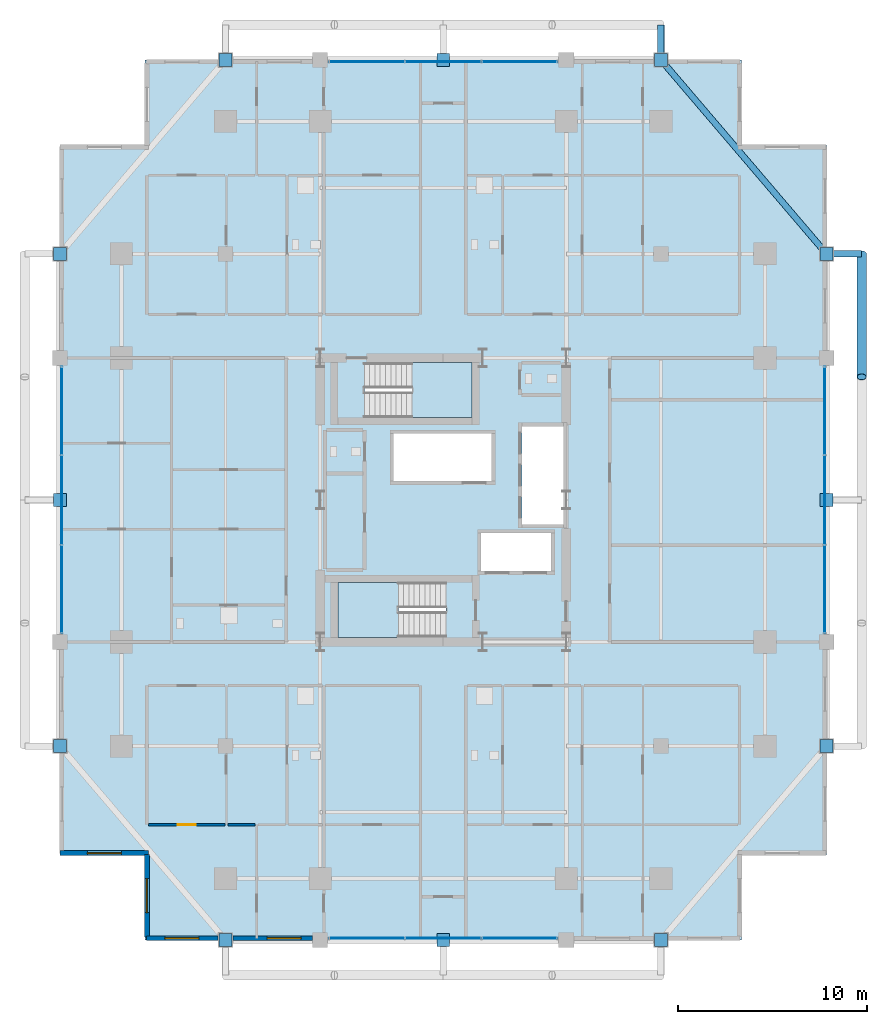
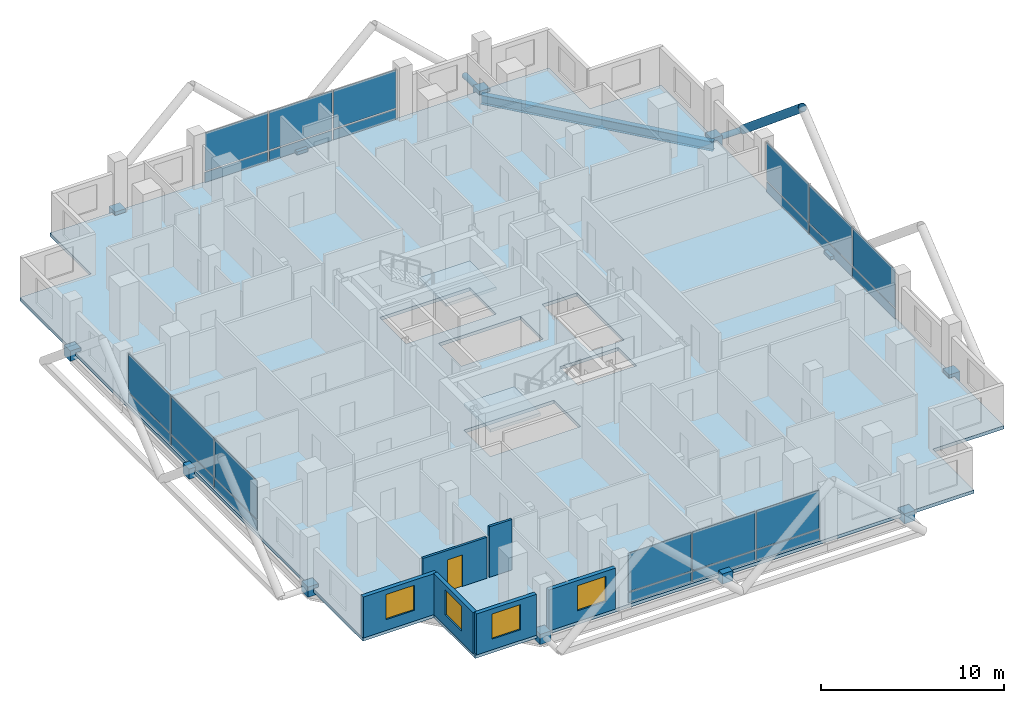
# One storey, part 18 of 25: 36 plates, 6 walls, 4 windows, 3 members, 3 slabs, 1 beam, 1 door, 5 openings, 6 elements without a shape of their own.
"""IFC4 building model written with IfcOpenShell, lengths in metres."""

from ifc_helpers import new_model, si_unit, direction, frame, frame_2d, origin, origin_2d, place, context, subcontext, project, spatial, polyline, rectangle, hollow_circle, i_section, outline, extrude, material, layer, layer_set, material_profile, profile_set, type_object, element, fill, aggregate, save


model = new_model("IFC4")

# Units and contexts
model_context = context("Model", 3, precision=1e-05, world=origin(), true_north=direction((0.0, 1.0)))
body_context = subcontext(model_context, "Body", "Model", "MODEL_VIEW")
ifc_project = project(units=[si_unit("LENGTHUNIT", "METRE"), si_unit("AREAUNIT", "SQUARE_METRE"), si_unit("VOLUMEUNIT", "CUBIC_METRE"), si_unit("PLANEANGLEUNIT", "RADIAN"), si_unit("MASSUNIT", "GRAM", prefix="KILO")], contexts=[model_context])

# Site, building, storey
site_placement = place(None, origin())
site = spatial("IfcSite", under=ifc_project, at=site_placement, CompositionType="ELEMENT")
building_placement = place(site_placement, origin())
building = spatial("IfcBuilding", under=site, at=building_placement, Name="Barlavira Tower and Art Museum", CompositionType="ELEMENT")
storey_placement = place(building_placement, frame((0.0, 0.0, 133.199951171875)))
storey = spatial("IfcBuildingStorey", under=building, at=storey_placement, Name="L33", CompositionType="ELEMENT", Elevation=133.199951171875)

# Members
ifc_material_1 = material(Name="Steel S355", Category="steel")
ifc_material_profile_1 = material_profile(ifc_material_1, hollow_circle(Radius=0.25390625, WallThickness=0.022216796875, at=origin_2d()), Name="CHS 508.0x22.2")
ifc_profile_set_1 = profile_set([ifc_material_profile_1], Name="Steel S355")
member_type_1 = type_object("IfcMemberType", Name="Pale-Metal Exoskeleton Diagrid Tube CHS 508x22 Steel S355", PredefinedType="BRACE", material=ifc_profile_set_1)
member_placement = place(storey_placement, frame((22.10009765625, 13.0, -0.119873046875), z_axis=(0.0, -0.769196053329, 0.639012857104), x_axis=(1.0, 0.0, 0.0)))
element("IfcMember", 1, at=member_placement, inside=storey, type_object=member_type_1, Name="L33 Exoskeleton Diagrid Tube E", PredefinedType="BRACE", context=body_context, shape_type="SweptSolid", body=[
    extrude(hollow_circle(Radius=0.25390625, WallThickness=0.022216796875, at=origin_2d()), origin(), (0.0, 0.0, 1.0), 8.450439453125),
])
ifc_material_profile_2 = material_profile(ifc_material_1, hollow_circle(Radius=0.177734375, WallThickness=0.01611328125, at=origin_2d()), Name="CHS 355.6x16.0")
ifc_profile_set_2 = profile_set([ifc_material_profile_2], Name="Steel S355")
member_type_2 = type_object("IfcMemberType", Name="Pale-Metal Exoskeleton Tie Strut CHS 356x16 Steel S355", PredefinedType="STRUT", material=ifc_profile_set_2)
for number, where, z_axis, x_axis, name in (
    (2, (11.5, 25.10009765625, -0.119873046875), (0.0, -1.0, 0.0), (1.0, 0.0, 0.0), "L33 Exoskeleton Tie Strut N3"),
    (3, (22.10009765625, 13.0, -0.119873046875), (-1.0, 0.0, 0.0), (0.0, -1.0, 0.0), "L33 Exoskeleton Tie Strut E3"),
):
    element("IfcMember", number, at=place(storey_placement, frame(where, z_axis=z_axis, x_axis=x_axis)), inside=storey, type_object=member_type_2, Name=name, PredefinedType="STRUT", context=body_context, shape_type="SweptSolid", body=[
        extrude(hollow_circle(Radius=0.177734375, WallThickness=0.01611328125, at=origin_2d()), origin(), (0.0, 0.0, 1.0), 1.85009765625),
    ])

# Beam
ifc_material_profile_3 = material_profile(ifc_material_1, i_section(OverallWidth=0.327880859375, OverallDepth=0.62890625, WebThickness=0.013916015625, FlangeThickness=0.021484375, at=origin_2d()), Name="W610x174.0")
ifc_profile_set_3 = profile_set([ifc_material_profile_3], Name="Steel S355")
beam_type = type_object("IfcBeamType", Name="Perimeter Spandrel Edge Beam W610x174 Steel S355", PredefinedType="SPANDREL", material=ifc_profile_set_3)
beam_placement = place(storey_placement, frame((20.25, 13.0, -0.534423828125), z_axis=(-0.649262379928, 0.760564502202, 0.0), x_axis=(-0.760564502202, -0.649262379928, 0.0)))
element("IfcBeam", 4, at=beam_placement, inside=storey, type_object=beam_type, Name="L33 Spandrel 8", PredefinedType="SPANDREL", context=body_context, shape_type="SweptSolid", body=[
    extrude(i_section(OverallWidth=0.327880859375, OverallDepth=0.62890625, WebThickness=0.013916015625, FlangeThickness=0.021484375, at=origin_2d()), origin(), (0.0, 0.0, 1.0), 13.476806640625),
])

# Curtain wall, plates
ifc_material_2 = material(Name="Low-iron coastal laminated glass", Category="glass")
ifc_layer_1 = layer(ifc_material_2, 0.18994140625, Name="Low-iron coastal laminated glass")
ifc_layer_set_1 = layer_set([ifc_layer_1], Name="Low-iron coastal laminated glass")
curtain_wall_type = type_object("IfcCurtainWallType", Name="Pale-Metal Unitised Curtain Wall Zone 2", PredefinedType="NOTDEFINED", material=ifc_layer_set_1)
curtain_wall_1_placement = place(storey_placement, origin())
curtain_wall_1 = element("IfcCurtainWall", 5, at=curtain_wall_1_placement, inside=storey, type_object=curtain_wall_type, Name="L33 Curtain Wall CW2-L33-S-B3", PredefinedType="NOTDEFINED")
ifc_material_3 = material(Name="Pale anodised aluminium", Category="aluminium")
ifc_layer_2 = layer(ifc_material_3, 0.044921875, Name="Pale anodised aluminium")
ifc_layer_set_2 = layer_set([ifc_layer_2], Name="Pale anodised aluminium")
plate_type_1 = type_object("IfcPlateType", Name="Curtain Wall Pale-Metal Spandrel Panel 45", PredefinedType="CURTAIN_PANEL", material=ifc_layer_set_2)
plate_1_placement = place(storey_placement, frame((-4.05322265625, -23.14990234375, 0.0400390625), z_axis=(0.0, 0.0, 1.0), x_axis=(1.0, 0.0, 0.0)))
plate_1 = element("IfcPlate", 6, at=plate_1_placement, type_object=plate_type_1, Name="CW2-L33-S-B3 Spandrel Panel 0", PredefinedType="CURTAIN_PANEL", context=body_context, shape_type="SweptSolid", body=[
    extrude(rectangle(XDim=3.953369140625, YDim=0.044921875, at=origin_2d()), origin(), (0.0, 0.0, 1.0), 0.6640625),
])
plate_2_placement = place(storey_placement, frame((0.0, -23.14990234375, 0.0400390625), z_axis=(0.0, 0.0, 1.0), x_axis=(1.0, 0.0, 0.0)))
plate_2 = element("IfcPlate", 7, at=plate_2_placement, type_object=plate_type_1, Name="CW2-L33-S-B3 Spandrel Panel 1", PredefinedType="CURTAIN_PANEL", context=body_context, shape_type="SweptSolid", body=[
    extrude(rectangle(XDim=3.953369140625, YDim=0.044921875, at=origin_2d()), origin(), (0.0, 0.0, 1.0), 0.6640625),
])
plate_3_placement = place(storey_placement, frame((4.05322265625, -23.14990234375, 0.0400390625), z_axis=(0.0, 0.0, 1.0), x_axis=(1.0, 0.0, 0.0)))
plate_3 = element("IfcPlate", 8, at=plate_3_placement, type_object=plate_type_1, Name="CW2-L33-S-B3 Spandrel Panel 2", PredefinedType="CURTAIN_PANEL", context=body_context, shape_type="SweptSolid", body=[
    extrude(rectangle(XDim=3.953369140625, YDim=0.044921875, at=origin_2d()), origin(), (0.0, 0.0, 1.0), 0.6640625),
])

curtain_wall_2_placement = place(storey_placement, origin())
curtain_wall_2 = element("IfcCurtainWall", 9, at=curtain_wall_2_placement, inside=storey, type_object=curtain_wall_type, Name="L33 Curtain Wall CW2-L33-N-B3", PredefinedType="NOTDEFINED")
plate_4_placement = place(storey_placement, frame((4.05322265625, 23.14990234375, 0.0400390625), z_axis=(0.0, 0.0, 1.0), x_axis=(-1.0, 0.0, 0.0)))
plate_4 = element("IfcPlate", 10, at=plate_4_placement, type_object=plate_type_1, Name="CW2-L33-N-B3 Spandrel Panel 0", PredefinedType="CURTAIN_PANEL", context=body_context, shape_type="SweptSolid", body=[
    extrude(rectangle(XDim=3.953369140625, YDim=0.044921875, at=origin_2d()), origin(), (0.0, 0.0, 1.0), 0.6640625),
])
plate_5_placement = place(storey_placement, frame((0.0, 23.14990234375, 0.0400390625), z_axis=(0.0, 0.0, 1.0), x_axis=(-1.0, 0.0, 0.0)))
plate_5 = element("IfcPlate", 11, at=plate_5_placement, type_object=plate_type_1, Name="CW2-L33-N-B3 Spandrel Panel 1", PredefinedType="CURTAIN_PANEL", context=body_context, shape_type="SweptSolid", body=[
    extrude(rectangle(XDim=3.953369140625, YDim=0.044921875, at=origin_2d()), origin(), (0.0, 0.0, 1.0), 0.6640625),
])
plate_6_placement = place(storey_placement, frame((-4.05322265625, 23.14990234375, 0.0400390625), z_axis=(0.0, 0.0, 1.0), x_axis=(-1.0, 0.0, 0.0)))
plate_6 = element("IfcPlate", 12, at=plate_6_placement, type_object=plate_type_1, Name="CW2-L33-N-B3 Spandrel Panel 2", PredefinedType="CURTAIN_PANEL", context=body_context, shape_type="SweptSolid", body=[
    extrude(rectangle(XDim=3.953369140625, YDim=0.044921875, at=origin_2d()), origin(), (0.0, 0.0, 1.0), 0.6640625),
])

curtain_wall_3_placement = place(storey_placement, origin())
curtain_wall_3 = element("IfcCurtainWall", 13, at=curtain_wall_3_placement, inside=storey, type_object=curtain_wall_type, Name="L33 Curtain Wall CW2-L33-W-B3", PredefinedType="NOTDEFINED")
plate_7_placement = place(storey_placement, frame((-20.14990234375, 4.719970703125, 0.0400390625), z_axis=(0.0, 0.0, 1.0), x_axis=(0.0, -1.0, 0.0)))
plate_7 = element("IfcPlate", 14, at=plate_7_placement, type_object=plate_type_1, Name="CW2-L33-W-B3 Spandrel Panel 0", PredefinedType="CURTAIN_PANEL", context=body_context, shape_type="SweptSolid", body=[
    extrude(rectangle(XDim=4.6201171875, YDim=0.044921875, at=origin_2d()), origin(), (0.0, 0.0, 1.0), 0.6640625),
])
plate_8_placement = place(storey_placement, frame((-20.14990234375, 0.0, 0.0400390625), z_axis=(0.0, 0.0, 1.0), x_axis=(0.0, -1.0, 0.0)))
plate_8 = element("IfcPlate", 15, at=plate_8_placement, type_object=plate_type_1, Name="CW2-L33-W-B3 Spandrel Panel 1", PredefinedType="CURTAIN_PANEL", context=body_context, shape_type="SweptSolid", body=[
    extrude(rectangle(XDim=4.6201171875, YDim=0.044921875, at=origin_2d()), origin(), (0.0, 0.0, 1.0), 0.6640625),
])
plate_9_placement = place(storey_placement, frame((-20.14990234375, -4.719970703125, 0.0400390625), z_axis=(0.0, 0.0, 1.0), x_axis=(0.0, -1.0, 0.0)))
plate_9 = element("IfcPlate", 16, at=plate_9_placement, type_object=plate_type_1, Name="CW2-L33-W-B3 Spandrel Panel 2", PredefinedType="CURTAIN_PANEL", context=body_context, shape_type="SweptSolid", body=[
    extrude(rectangle(XDim=4.6201171875, YDim=0.044921875, at=origin_2d()), origin(), (0.0, 0.0, 1.0), 0.6640625),
])

curtain_wall_4_placement = place(storey_placement, origin())
curtain_wall_4 = element("IfcCurtainWall", 17, at=curtain_wall_4_placement, inside=storey, type_object=curtain_wall_type, Name="L33 Curtain Wall CW2-L33-E-B3", PredefinedType="NOTDEFINED")
plate_10_placement = place(storey_placement, frame((20.14990234375, -4.719970703125, 0.0400390625), z_axis=(0.0, 0.0, 1.0), x_axis=(0.0, 1.0, 0.0)))
plate_10 = element("IfcPlate", 18, at=plate_10_placement, type_object=plate_type_1, Name="CW2-L33-E-B3 Spandrel Panel 0", PredefinedType="CURTAIN_PANEL", context=body_context, shape_type="SweptSolid", body=[
    extrude(rectangle(XDim=4.6201171875, YDim=0.044921875, at=origin_2d()), origin(), (0.0, 0.0, 1.0), 0.6640625),
])
plate_11_placement = place(storey_placement, frame((20.14990234375, 0.0, 0.0400390625), z_axis=(0.0, 0.0, 1.0), x_axis=(0.0, 1.0, 0.0)))
plate_11 = element("IfcPlate", 19, at=plate_11_placement, type_object=plate_type_1, Name="CW2-L33-E-B3 Spandrel Panel 1", PredefinedType="CURTAIN_PANEL", context=body_context, shape_type="SweptSolid", body=[
    extrude(rectangle(XDim=4.6201171875, YDim=0.044921875, at=origin_2d()), origin(), (0.0, 0.0, 1.0), 0.6640625),
])
plate_12_placement = place(storey_placement, frame((20.14990234375, 4.719970703125, 0.0400390625), z_axis=(0.0, 0.0, 1.0), x_axis=(0.0, 1.0, 0.0)))
plate_12 = element("IfcPlate", 20, at=plate_12_placement, type_object=plate_type_1, Name="CW2-L33-E-B3 Spandrel Panel 2", PredefinedType="CURTAIN_PANEL", context=body_context, shape_type="SweptSolid", body=[
    extrude(rectangle(XDim=4.6201171875, YDim=0.044921875, at=origin_2d()), origin(), (0.0, 0.0, 1.0), 0.6640625),
])

# Plate
ifc_layer_3 = layer(ifc_material_2, 0.028076171875, Name="Low-iron coastal laminated glass")
ifc_layer_set_3 = layer_set([ifc_layer_3], Name="Low-iron coastal laminated glass")
plate_type_2 = type_object("IfcPlateType", Name="Curtain Wall Vision Glazing Panel 28", PredefinedType="CURTAIN_PANEL", material=ifc_layer_set_3)
plate_13_placement = place(storey_placement, frame((-4.05322265625, -23.14990234375, 0.7841796875), z_axis=(0.0, 0.0, 1.0), x_axis=(1.0, 0.0, 0.0)))
plate_13 = element("IfcPlate", 21, at=plate_13_placement, type_object=plate_type_2, Name="CW2-L33-S-B3 Vision Glass Panel 0", PredefinedType="CURTAIN_PANEL", context=body_context, shape_type="SweptSolid", body=[
    extrude(rectangle(XDim=3.953369140625, YDim=0.028076171875, at=origin_2d()), origin(), (0.0, 0.0, 1.0), 2.555908203125),
])

plate_14_placement = place(storey_placement, frame((0.0, -23.14990234375, 0.7841796875), z_axis=(0.0, 0.0, 1.0), x_axis=(1.0, 0.0, 0.0)))
plate_14 = element("IfcPlate", 22, at=plate_14_placement, type_object=plate_type_2, Name="CW2-L33-S-B3 Vision Glass Panel 1", PredefinedType="CURTAIN_PANEL", context=body_context, shape_type="SweptSolid", body=[
    extrude(rectangle(XDim=3.953369140625, YDim=0.028076171875, at=origin_2d()), origin(), (0.0, 0.0, 1.0), 2.555908203125),
])

plate_15_placement = place(storey_placement, frame((4.05322265625, -23.14990234375, 0.7841796875), z_axis=(0.0, 0.0, 1.0), x_axis=(1.0, 0.0, 0.0)))
plate_15 = element("IfcPlate", 23, at=plate_15_placement, type_object=plate_type_2, Name="CW2-L33-S-B3 Vision Glass Panel 2", PredefinedType="CURTAIN_PANEL", context=body_context, shape_type="SweptSolid", body=[
    extrude(rectangle(XDim=3.953369140625, YDim=0.028076171875, at=origin_2d()), origin(), (0.0, 0.0, 1.0), 2.555908203125),
])

aggregate(curtain_wall_1, [plate_1, plate_13, plate_2, plate_14, plate_3, plate_15])

plate_16_placement = place(storey_placement, frame((4.05322265625, 23.14990234375, 0.7841796875), z_axis=(0.0, 0.0, 1.0), x_axis=(-1.0, 0.0, 0.0)))
plate_16 = element("IfcPlate", 24, at=plate_16_placement, type_object=plate_type_2, Name="CW2-L33-N-B3 Vision Glass Panel 0", PredefinedType="CURTAIN_PANEL", context=body_context, shape_type="SweptSolid", body=[
    extrude(rectangle(XDim=3.953369140625, YDim=0.028076171875, at=origin_2d()), origin(), (0.0, 0.0, 1.0), 2.555908203125),
])

plate_17_placement = place(storey_placement, frame((0.0, 23.14990234375, 0.7841796875), z_axis=(0.0, 0.0, 1.0), x_axis=(-1.0, 0.0, 0.0)))
plate_17 = element("IfcPlate", 25, at=plate_17_placement, type_object=plate_type_2, Name="CW2-L33-N-B3 Vision Glass Panel 1", PredefinedType="CURTAIN_PANEL", context=body_context, shape_type="SweptSolid", body=[
    extrude(rectangle(XDim=3.953369140625, YDim=0.028076171875, at=origin_2d()), origin(), (0.0, 0.0, 1.0), 2.555908203125),
])

plate_18_placement = place(storey_placement, frame((-4.05322265625, 23.14990234375, 0.7841796875), z_axis=(0.0, 0.0, 1.0), x_axis=(-1.0, 0.0, 0.0)))
plate_18 = element("IfcPlate", 26, at=plate_18_placement, type_object=plate_type_2, Name="CW2-L33-N-B3 Vision Glass Panel 2", PredefinedType="CURTAIN_PANEL", context=body_context, shape_type="SweptSolid", body=[
    extrude(rectangle(XDim=3.953369140625, YDim=0.028076171875, at=origin_2d()), origin(), (0.0, 0.0, 1.0), 2.555908203125),
])

aggregate(curtain_wall_2, [plate_4, plate_16, plate_5, plate_17, plate_6, plate_18])

plate_19_placement = place(storey_placement, frame((-20.14990234375, 4.719970703125, 0.7841796875), z_axis=(0.0, 0.0, 1.0), x_axis=(0.0, -1.0, 0.0)))
plate_19 = element("IfcPlate", 27, at=plate_19_placement, type_object=plate_type_2, Name="CW2-L33-W-B3 Vision Glass Panel 0", PredefinedType="CURTAIN_PANEL", context=body_context, shape_type="SweptSolid", body=[
    extrude(rectangle(XDim=4.6201171875, YDim=0.028076171875, at=origin_2d()), origin(), (0.0, 0.0, 1.0), 2.555908203125),
])

plate_20_placement = place(storey_placement, frame((-20.14990234375, 0.0, 0.7841796875), z_axis=(0.0, 0.0, 1.0), x_axis=(0.0, -1.0, 0.0)))
plate_20 = element("IfcPlate", 28, at=plate_20_placement, type_object=plate_type_2, Name="CW2-L33-W-B3 Vision Glass Panel 1", PredefinedType="CURTAIN_PANEL", context=body_context, shape_type="SweptSolid", body=[
    extrude(rectangle(XDim=4.6201171875, YDim=0.028076171875, at=origin_2d()), origin(), (0.0, 0.0, 1.0), 2.555908203125),
])

plate_21_placement = place(storey_placement, frame((-20.14990234375, -4.719970703125, 0.7841796875), z_axis=(0.0, 0.0, 1.0), x_axis=(0.0, -1.0, 0.0)))
plate_21 = element("IfcPlate", 29, at=plate_21_placement, type_object=plate_type_2, Name="CW2-L33-W-B3 Vision Glass Panel 2", PredefinedType="CURTAIN_PANEL", context=body_context, shape_type="SweptSolid", body=[
    extrude(rectangle(XDim=4.6201171875, YDim=0.028076171875, at=origin_2d()), origin(), (0.0, 0.0, 1.0), 2.555908203125),
])

aggregate(curtain_wall_3, [plate_7, plate_19, plate_8, plate_20, plate_9, plate_21])

plate_22_placement = place(storey_placement, frame((20.14990234375, -4.719970703125, 0.7841796875), z_axis=(0.0, 0.0, 1.0), x_axis=(0.0, 1.0, 0.0)))
plate_22 = element("IfcPlate", 30, at=plate_22_placement, type_object=plate_type_2, Name="CW2-L33-E-B3 Vision Glass Panel 0", PredefinedType="CURTAIN_PANEL", context=body_context, shape_type="SweptSolid", body=[
    extrude(rectangle(XDim=4.6201171875, YDim=0.028076171875, at=origin_2d()), origin(), (0.0, 0.0, 1.0), 2.555908203125),
])

plate_23_placement = place(storey_placement, frame((20.14990234375, 0.0, 0.7841796875), z_axis=(0.0, 0.0, 1.0), x_axis=(0.0, 1.0, 0.0)))
plate_23 = element("IfcPlate", 31, at=plate_23_placement, type_object=plate_type_2, Name="CW2-L33-E-B3 Vision Glass Panel 1", PredefinedType="CURTAIN_PANEL", context=body_context, shape_type="SweptSolid", body=[
    extrude(rectangle(XDim=4.6201171875, YDim=0.028076171875, at=origin_2d()), origin(), (0.0, 0.0, 1.0), 2.555908203125),
])

plate_24_placement = place(storey_placement, frame((20.14990234375, 4.719970703125, 0.7841796875), z_axis=(0.0, 0.0, 1.0), x_axis=(0.0, 1.0, 0.0)))
plate_24 = element("IfcPlate", 32, at=plate_24_placement, type_object=plate_type_2, Name="CW2-L33-E-B3 Vision Glass Panel 2", PredefinedType="CURTAIN_PANEL", context=body_context, shape_type="SweptSolid", body=[
    extrude(rectangle(XDim=4.6201171875, YDim=0.028076171875, at=origin_2d()), origin(), (0.0, 0.0, 1.0), 2.555908203125),
])

aggregate(curtain_wall_4, [plate_10, plate_22, plate_11, plate_23, plate_12, plate_24])

# Plates
ifc_layer_4 = layer(ifc_material_1, 0.679931640625, Name="Steel S355")
ifc_layer_set_4 = layer_set([ifc_layer_4], Name="Steel S355")
plate_type_3 = type_object("IfcPlateType", Name="Exoskeleton Tie-Back Solid Cap Plate Assembly Type 5 Steel S355", PredefinedType="USERDEFINED", material=ifc_layer_set_4)
for number, where, z_axis, x_axis, name in (
    (33, (-11.5, -23.25, -0.4599609375), (0.0, 0.0, 1.0), (1.0, 0.0, 0.0), "Slab Edge Tie Cap Plate S1 ND-L33-0350"),
    (34, (0.0, -23.25, -0.4599609375), (0.0, 0.0, 1.0), (1.0, 0.0, 0.0), "Slab Edge Tie Cap Plate S2 ND-L33-0351"),
    (35, (11.5, -23.25, -0.4599609375), (0.0, 0.0, 1.0), (1.0, 0.0, 0.0), "Slab Edge Tie Cap Plate S3 ND-L33-0352"),
    (36, (-11.5, 23.25, -0.4599609375), (0.0, 0.0, 1.0), (1.0, 0.0, 0.0), "Slab Edge Tie Cap Plate N1 ND-L33-0358"),
    (37, (0.0, 23.25, -0.4599609375), (0.0, 0.0, 1.0), (1.0, 0.0, 0.0), "Slab Edge Tie Cap Plate N2 ND-L33-0359"),
    (38, (11.5, 23.25, -0.4599609375), (0.0, 0.0, 1.0), (1.0, 0.0, 0.0), "Slab Edge Tie Cap Plate N3 ND-L33-0360"),
    (39, (-20.25, -13.0, -0.4599609375), (0.0, 0.0, 1.0), (1.0, 0.0, 0.0), "Slab Edge Tie Cap Plate W1 ND-L33-0366"),
    (40, (-20.25, 0.0, -0.4599609375), (0.0, 0.0, 1.0), (1.0, 0.0, 0.0), "Slab Edge Tie Cap Plate W2 ND-L33-0367"),
    (41, (-20.25, 13.0, -0.4599609375), (0.0, 0.0, 1.0), (1.0, 0.0, 0.0), "Slab Edge Tie Cap Plate W3 ND-L33-0368"),
    (42, (20.25, -13.0, -0.4599609375), (0.0, 0.0, 1.0), (1.0, 0.0, 0.0), "Slab Edge Tie Cap Plate E1 ND-L33-0374"),
    (43, (20.25, 0.0, -0.4599609375), (0.0, 0.0, 1.0), (1.0, 0.0, 0.0), "Slab Edge Tie Cap Plate E2 ND-L33-0375"),
    (44, (20.25, 13.0, -0.4599609375), (0.0, 0.0, 1.0), (1.0, 0.0, 0.0), "Slab Edge Tie Cap Plate E3 ND-L33-0376"),
):
    element("IfcPlate", number, at=place(storey_placement, frame(where, z_axis=z_axis, x_axis=x_axis)), inside=storey, type_object=plate_type_3, Name=name, ObjectType="FLANGE_PLATE", PredefinedType="USERDEFINED", context=body_context, shape_type="SweptSolid", body=[
        extrude(rectangle(XDim=0.679931640625, YDim=0.679931640625, at=origin_2d()), origin(), (0.0, 0.0, 1.0), 0.679931640625),
    ])

# Stair, slab
ifc_material_4 = material(Name="Concrete C45", Category="concrete")
stair_type_1 = type_object("IfcStairType", Name="Tower North Dog-Leg Exit Stair Assembly Concrete C45", PredefinedType="TWO_QUARTER_TURN_STAIR", material=ifc_material_4)
stair_1_placement = place(storey_placement, origin())
stair_1 = element("IfcStair", 45, at=stair_1_placement, inside=storey, type_object=stair_type_1, Name="L33 Tower North Exit Stair ST-T2", PredefinedType="TWO_QUARTER_TURN_STAIR")
ifc_layer_5 = layer(ifc_material_4, 0.199951171875, Name="Concrete C45")
ifc_layer_set_5 = layer_set([ifc_layer_5], Name="Concrete C45")
slab_type_1 = type_object("IfcSlabType", Name="Tower North Dog-Leg Exit Stair Half-Landing Slab 200 Concrete C45", PredefinedType="LANDING", material=ifc_layer_set_5)
slab_1_placement = place(storey_placement, frame((0.0, 0.0, 1.60009765625)))
slab_1 = element("IfcSlab", 46, at=slab_1_placement, type_object=slab_type_1, Name="ST-T2 landing 1", PredefinedType="LANDING", context=body_context, shape_type="SweptSolid", body=[
    extrude(outline(polyline([(-1.64990234375, 4.35009765625), (1.530029296875, 4.35009765625), (1.530029296875, 7.25), (-1.64990234375, 7.25), (-1.64990234375, 4.35009765625)])), origin(), (0.0, 0.0, 1.0), 0.199951171875),
])
aggregate(stair_1, [slab_1])

stair_type_2 = type_object("IfcStairType", Name="Tower South Dog-Leg Exit Stair Assembly Concrete C45", PredefinedType="TWO_QUARTER_TURN_STAIR", material=ifc_material_4)
stair_2_placement = place(storey_placement, origin())
stair_2 = element("IfcStair", 47, at=stair_2_placement, inside=storey, type_object=stair_type_2, Name="L33 Tower South Exit Stair ST-T1", PredefinedType="TWO_QUARTER_TURN_STAIR")
ifc_layer_6 = layer(ifc_material_4, 0.199951171875, Name="Concrete C45")
ifc_layer_set_6 = layer_set([ifc_layer_6], Name="Concrete C45")
slab_type_2 = type_object("IfcSlabType", Name="Tower South Dog-Leg Exit Stair Half-Landing Slab 200 Concrete C45", PredefinedType="LANDING", material=ifc_layer_set_6)
slab_2_placement = place(storey_placement, frame((0.0, 0.0, 1.60009765625)))
slab_2 = element("IfcSlab", 48, at=slab_2_placement, type_object=slab_type_2, Name="ST-T1 landing 1", PredefinedType="LANDING", context=body_context, shape_type="SweptSolid", body=[
    extrude(outline(polyline([(-2.3701171875, -4.35009765625), (-5.550048828125, -4.35009765625), (-5.550048828125, -7.25), (-2.3701171875, -7.25), (-2.3701171875, -4.35009765625)])), origin(), (0.0, 0.0, 1.0), 0.199951171875),
])
aggregate(stair_2, [slab_2])

# Slab
ifc_material_5 = material(Name="Concrete C50", Category="concrete")
ifc_layer_7 = layer(ifc_material_5, 0.2099609375, Name="Concrete C50")
ifc_layer_set_7 = layer_set([ifc_layer_7], Name="Concrete C50")
slab_type_3 = type_object("IfcSlabType", Name="Zone 2 Residential Composite Slab 210 Concrete C50", PredefinedType="FLOOR", material=ifc_layer_set_7)
slab_3_placement = place(storey_placement, frame((0.0, 0.0, -0.219970703125)))
element("IfcSlab", 49, at=slab_3_placement, inside=storey, type_object=slab_type_3, Name="L33 Tower Floor Slab", PredefinedType="FLOOR", context=body_context, shape_type="SweptSolid", body=[
    extrude(outline(polyline([(-15.75, -23.25), (15.75, -23.25), (15.75, -18.75), (20.25, -18.75), (20.25, 18.75), (15.75, 18.75), (15.75, 23.25), (-15.75, 23.25), (-15.75, 18.75), (-20.25, 18.75), (-20.25, -18.75), (-15.75, -18.75), (-15.75, -23.25)]), holes=[polyline([(0.14990234375, -4.35009765625), (-5.550048828125, -4.35009765625), (-5.550048828125, -7.25), (0.14990234375, -7.25), (0.14990234375, -4.35009765625)]), polyline([(-4.169921875, 4.35009765625), (1.530029296875, 4.35009765625), (1.530029296875, 7.25), (-4.169921875, 7.25), (-4.169921875, 4.35009765625)]), polyline([(4.14990234375, -1.2900390625), (6.35009765625, -1.2900390625), (6.35009765625, 3.889892578125), (4.14990234375, 3.889892578125), (4.14990234375, -1.2900390625)]), polyline([(-2.6201171875, 1.0), (2.56005859375, 1.0), (2.56005859375, 3.5), (-2.6201171875, 3.5), (-2.6201171875, 1.0)]), polyline([(2.0, -3.75), (5.699951171875, -3.75), (5.699951171875, -1.75), (2.0, -1.75), (2.0, -3.75)])]), origin(), (0.0, 0.0, 1.0), 0.219970703125),
])

# Wall, opening, door
ifc_material_6 = material(Name="Gypsum acoustic stud partition", Category="gypsum")
ifc_layer_8 = layer(ifc_material_6, 0.139892578125, Name="Gypsum acoustic stud partition")
ifc_layer_set_8 = layer_set([ifc_layer_8], Name="Gypsum acoustic stud partition")
wall_type_1 = type_object("IfcWallType", Name="Moisture-Resistant Bathroom Partition 140", PredefinedType="PARTITIONING", material=ifc_layer_set_8)
wall_1_placement = place(storey_placement, frame((-15.570068359375, -17.14990234375, 0.0), z_axis=(0.0, 0.0, 1.0), x_axis=(1.0, 0.0, 0.0)))
wall_1 = element("IfcWall", 50, at=wall_1_placement, inside=storey, type_object=wall_type_1, Name="L33 Partition Wall 30", PredefinedType="PARTITIONING", context=body_context, shape_type="SweptSolid", body=[
    extrude(rectangle(XDim=4.0400390625, YDim=0.139892578125, at=frame_2d((2.02001953125, 0.0))), origin(), (0.0, 0.0, 1.0), 2.736083984375),
])
opening_1_placement = place(wall_1_placement, frame((1.544921875, 0.0, 0.0)))
opening_1 = element("IfcOpeningElement", 51, at=opening_1_placement, cuts=wall_1, Name="Opening D-02", PredefinedType="OPENING", context=body_context, shape_type="SweptSolid", body=[
    extrude(rectangle(XDim=0.949951171875, YDim=2.10009765625, at=frame_2d((0.47509765625, 1.050048828125))), frame((0.0, 0.080078125, 0.0), z_axis=(0.0, -1.0, 0.0), x_axis=(1.0, 0.0, 0.0)), (0.0, 0.0, 1.0), 0.159912109375),
])
ifc_material_7 = material(Name="Engineered coastal hardwood", Category="wood")
door_type = type_object("IfcDoorType", Name="Living and Salon Glazed-Leaf Door 950x2100", OperationType="NOTDEFINED", PredefinedType="DOOR", material=ifc_material_7)
door_placement = place(opening_1_placement, origin())
door = element("IfcDoor", 52, at=door_placement, inside=storey, type_object=door_type, Name="Apartment SW1 Living Lounge Door", OperationType="SINGLE_SWING_RIGHT", OverallHeight=2.10009765625, OverallWidth=0.949951171875, PredefinedType="DOOR", context=body_context, shape_type="SweptSolid", body=[
    extrude(rectangle(XDim=0.949951171875, YDim=2.10009765625, at=frame_2d((0.47509765625, 1.050048828125))), frame((0.0, 0.02490234375, 0.0), z_axis=(0.0, -1.0, 0.0), x_axis=(1.0, 0.0, 0.0)), (0.0, 0.0, 1.0), 0.050048828125),
])
fill(opening_1, door)

# Wall
wall_2_placement = place(storey_placement, frame((-11.3701171875, -17.14990234375, 0.0), z_axis=(0.0, 0.0, 1.0), x_axis=(1.0, 0.0, 0.0)))
element("IfcWall", 53, at=wall_2_placement, inside=storey, type_object=wall_type_1, Name="L33 Partition Wall 31", PredefinedType="PARTITIONING", context=body_context, shape_type="SweptSolid", body=[
    extrude(rectangle(XDim=1.440185546875, YDim=0.139892578125, at=frame_2d((0.72021484375, 0.0))), origin(), (0.0, 0.0, 1.0), 3.380126953125),
])

# Wall, opening, window
ifc_material_8 = material(Name="Precast concrete C40", Category="concrete")
ifc_layer_9 = layer(ifc_material_8, 0.25, Name="Precast concrete C40")
ifc_layer_set_9 = layer_set([ifc_layer_9], Name="Precast concrete C40")
wall_type_2 = type_object("IfcWallType", Name="Notched Corner Spandrel Wall 250 Precast Concrete C40", PredefinedType="SOLIDWALL", material=ifc_layer_set_9)
wall_3_placement = place(storey_placement, frame((-15.675048828125, -23.14990234375, 0.0), z_axis=(0.0, 0.0, 1.0), x_axis=(1.0, 0.0, 0.0)))
wall_3 = element("IfcWall", 54, at=wall_3_placement, inside=storey, type_object=wall_type_2, Name="L33 Coastal Facade Pier Wall CW2-L33-S-1", PredefinedType="SOLIDWALL", context=body_context, shape_type="SweptSolid", body=[
    extrude(rectangle(XDim=3.780029296875, YDim=0.25, at=frame_2d((1.89013671875, 0.0))), origin(), (0.0, 0.0, 1.0), 2.736083984375),
])
opening_2_placement = place(wall_3_placement, frame((0.968017578125, 0.0, 0.719970703125)))
opening_2 = element("IfcOpeningElement", 55, at=opening_2_placement, cuts=wall_3, Name="Opening WN-01", PredefinedType="OPENING", context=body_context, shape_type="SweptSolid", body=[
    extrude(rectangle(XDim=1.800048828125, YDim=1.679931640625, at=frame_2d((0.89990234375, 0.83984375))), frame((0.0, 0.135009765625, 0.0), z_axis=(0.0, -1.0, 0.0), x_axis=(1.0, 0.0, 0.0)), (0.0, 0.0, 1.0), 0.27001953125),
])
window_type = type_object("IfcWindowType", Name="Recessed Notch Corner Punch Window 1800x1680", PartitioningType="SINGLE_PANEL", PredefinedType="WINDOW", material=ifc_material_2)
window_1_placement = place(opening_2_placement, origin())
window_1 = element("IfcWindow", 56, at=window_1_placement, inside=storey, type_object=window_type, Name="L33 Punched Facade Window EWP-CW2-L33-S-1-1", OverallHeight=1.679931640625, OverallWidth=1.800048828125, PartitioningType="SINGLE_PANEL", PredefinedType="WINDOW", context=body_context, shape_type="SweptSolid", body=[
    extrude(rectangle(XDim=1.800048828125, YDim=1.679931640625, at=frame_2d((0.89990234375, 0.83984375))), frame((0.0, 0.030029296875, 0.0), z_axis=(0.0, -1.0, 0.0), x_axis=(1.0, 0.0, 0.0)), (0.0, 0.0, 1.0), 0.06005859375),
])
fill(opening_2, window_1)

wall_4_placement = place(storey_placement, frame((-11.10498046875, -23.14990234375, 0.0), z_axis=(0.0, 0.0, 1.0), x_axis=(1.0, 0.0, 0.0)))
wall_4 = element("IfcWall", 57, at=wall_4_placement, inside=storey, type_object=wall_type_2, Name="L33 Coastal Facade Pier Wall CW2-L33-S-2", PredefinedType="SOLIDWALL", context=body_context, shape_type="SweptSolid", body=[
    extrude(rectangle(XDim=4.2099609375, YDim=0.25, at=frame_2d((2.10498046875, 0.0))), origin(), (0.0, 0.0, 1.0), 2.736083984375),
])
opening_3_placement = place(wall_4_placement, frame((1.800048828125, 0.0, 0.719970703125)))
opening_3 = element("IfcOpeningElement", 58, at=opening_3_placement, cuts=wall_4, Name="Opening WN-01", PredefinedType="OPENING", context=body_context, shape_type="SweptSolid", body=[
    extrude(rectangle(XDim=1.800048828125, YDim=1.679931640625, at=frame_2d((0.89990234375, 0.83984375))), frame((0.0, 0.135009765625, 0.0), z_axis=(0.0, -1.0, 0.0), x_axis=(1.0, 0.0, 0.0)), (0.0, 0.0, 1.0), 0.27001953125),
])
window_2_placement = place(opening_3_placement, origin())
window_2 = element("IfcWindow", 59, at=window_2_placement, inside=storey, type_object=window_type, Name="L33 Punched Facade Window EWP-CW2-L33-S-2-1", OverallHeight=1.679931640625, OverallWidth=1.800048828125, PartitioningType="SINGLE_PANEL", PredefinedType="WINDOW", context=body_context, shape_type="SweptSolid", body=[
    extrude(rectangle(XDim=1.800048828125, YDim=1.679931640625, at=frame_2d((0.89990234375, 0.83984375))), frame((0.0, 0.030029296875, 0.0), z_axis=(0.0, -1.0, 0.0), x_axis=(1.0, 0.0, 0.0)), (0.0, 0.0, 1.0), 0.06005859375),
])
fill(opening_3, window_2)

wall_5_placement = place(storey_placement, frame((-20.22998046875, -18.64990234375, 0.0), z_axis=(0.0, 0.0, 1.0), x_axis=(1.0, 0.0, 0.0)))
wall_5 = element("IfcWall", 60, at=wall_5_placement, inside=storey, type_object=wall_type_2, Name="L33 Notch Corner Wall SW1", PredefinedType="SOLIDWALL", context=body_context, shape_type="SweptSolid", body=[
    extrude(rectangle(XDim=4.659912109375, YDim=0.25, at=frame_2d((2.330078125, 0.0))), origin(), (0.0, 0.0, 1.0), 2.736083984375),
])
opening_4_placement = place(wall_5_placement, frame((1.429931640625, 0.0, 0.719970703125)))
opening_4 = element("IfcOpeningElement", 61, at=opening_4_placement, cuts=wall_5, Name="Opening WN-01", PredefinedType="OPENING", context=body_context, shape_type="SweptSolid", body=[
    extrude(rectangle(XDim=1.800048828125, YDim=1.679931640625, at=frame_2d((0.89990234375, 0.83984375))), frame((0.0, 0.135009765625, 0.0), z_axis=(0.0, -1.0, 0.0), x_axis=(1.0, 0.0, 0.0)), (0.0, 0.0, 1.0), 0.27001953125),
])
window_3_placement = place(opening_4_placement, origin())
window_3 = element("IfcWindow", 62, at=window_3_placement, inside=storey, type_object=window_type, Name="L33 Punched Facade Window EW-NTC-L33-SW1-1", OverallHeight=1.679931640625, OverallWidth=1.800048828125, PartitioningType="SINGLE_PANEL", PredefinedType="WINDOW", context=body_context, shape_type="SweptSolid", body=[
    extrude(rectangle(XDim=1.800048828125, YDim=1.679931640625, at=frame_2d((0.89990234375, 0.83984375))), frame((0.0, 0.030029296875, 0.0), z_axis=(0.0, -1.0, 0.0), x_axis=(1.0, 0.0, 0.0)), (0.0, 0.0, 1.0), 0.06005859375),
])
fill(opening_4, window_3)

wall_6_placement = place(storey_placement, frame((-15.64990234375, -18.72998046875, 0.0), z_axis=(0.0, 0.0, 1.0), x_axis=(0.0, -1.0, 0.0)))
wall_6 = element("IfcWall", 63, at=wall_6_placement, inside=storey, type_object=wall_type_2, Name="L33 Notch Corner Wall SW2", PredefinedType="SOLIDWALL", context=body_context, shape_type="SweptSolid", body=[
    extrude(rectangle(XDim=4.340087890625, YDim=0.25, at=frame_2d((2.169921875, 0.0))), origin(), (0.0, 0.0, 1.0), 2.736083984375),
])
opening_5_placement = place(wall_6_placement, frame((1.27001953125, 0.0, 0.719970703125)))
opening_5 = element("IfcOpeningElement", 64, at=opening_5_placement, cuts=wall_6, Name="Opening WN-01", PredefinedType="OPENING", context=body_context, shape_type="SweptSolid", body=[
    extrude(rectangle(XDim=1.800048828125, YDim=1.679931640625, at=frame_2d((0.89990234375, 0.83984375))), frame((0.0, 0.135009765625, 0.0), z_axis=(0.0, -1.0, 0.0), x_axis=(1.0, 0.0, 0.0)), (0.0, 0.0, 1.0), 0.27001953125),
])
window_4_placement = place(opening_5_placement, origin())
window_4 = element("IfcWindow", 65, at=window_4_placement, inside=storey, type_object=window_type, Name="L33 Punched Facade Window EW-NTC-L33-SW2-1", OverallHeight=1.679931640625, OverallWidth=1.800048828125, PartitioningType="SINGLE_PANEL", PredefinedType="WINDOW", context=body_context, shape_type="SweptSolid", body=[
    extrude(rectangle(XDim=1.800048828125, YDim=1.679931640625, at=frame_2d((0.89990234375, 0.83984375))), frame((0.0, 0.030029296875, 0.0), z_axis=(0.0, -1.0, 0.0), x_axis=(1.0, 0.0, 0.0)), (0.0, 0.0, 1.0), 0.06005859375),
])
fill(opening_5, window_4)

save(model, "model.ifc")
